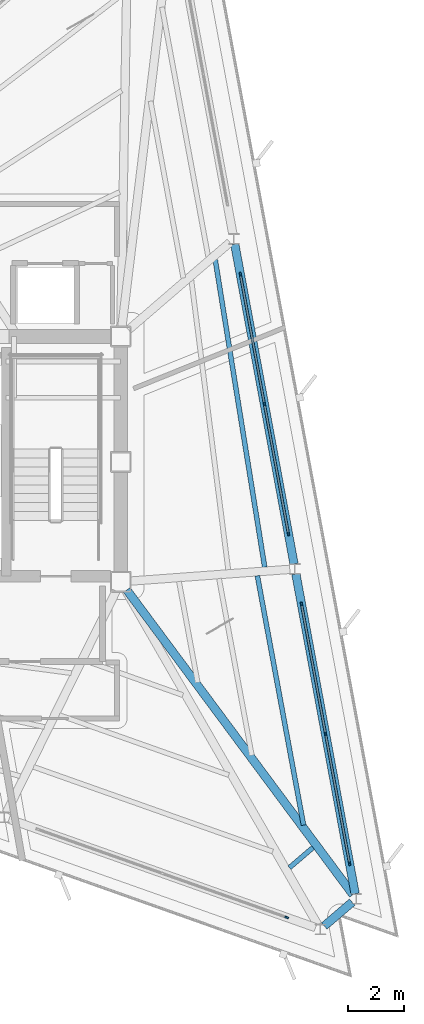
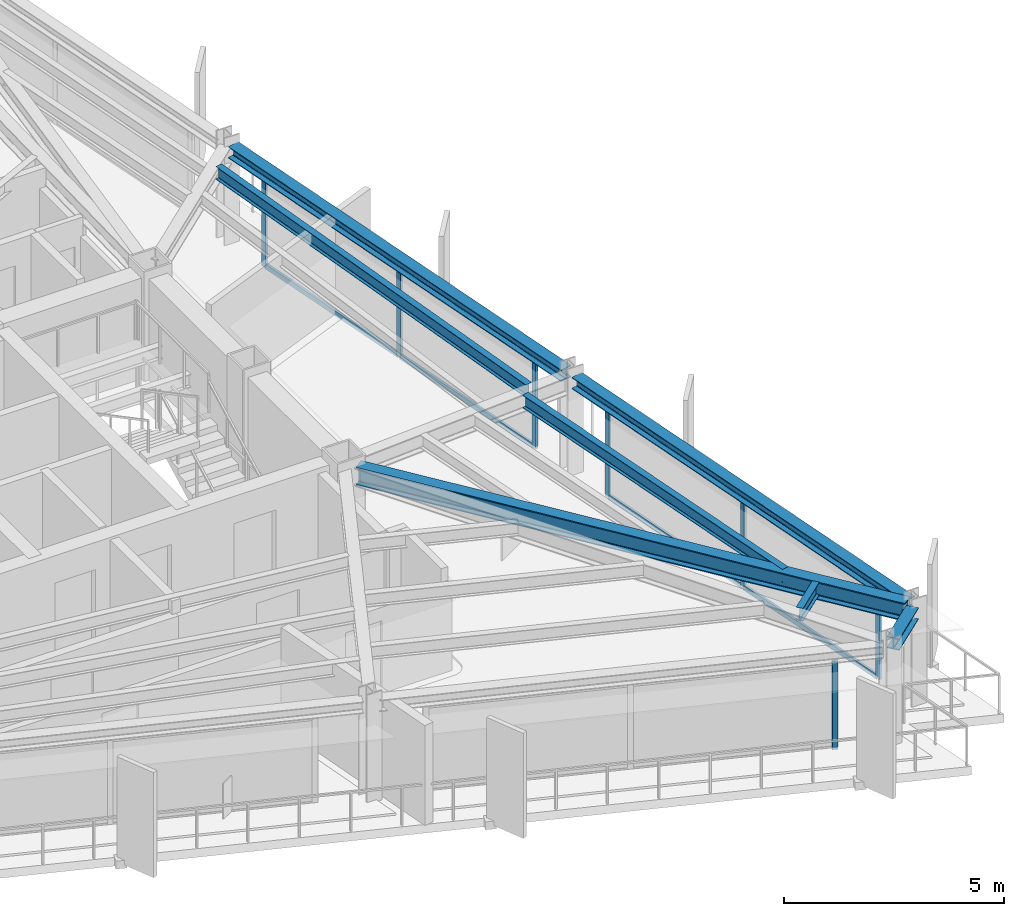
# One storey, part 6 of 14: 15 members, 7 beams, 3 elements without a shape of their own.
"""IFC4 building model written with IfcOpenShell, lengths in metres."""

import ifcopenshell
import ifcopenshell.guid

model = None  # the IFC model being written
_history = None  # IfcOwnerHistory: only IFC2X3 demands one
_inside = {}  # id of a spatial element -> (the spatial element, [elements in it])
_under = {}  # id of a project, library or spatial element -> (it, [spatial elements below it])
_declared = {}  # id of a project -> (the project, [libraries it declares])
_typed = {}  # id of a type object -> (the type object, [elements of that type])
_made_of = {}  # id of a material, layer set ... -> (it, [elements and type objects made of it])


def new_model(schema):
    """Start an empty IFC model of exactly this schema.

    Asked for "IFC4X3", IfcOpenShell would pick the latest addendum, in which some entities
    have other attributes; the version numbers below select the first issue.
    IFC2X3 requires an IfcOwnerHistory on every rooted entity: one is made here for all.
    """
    global model, _history
    if schema == "IFC4X3":
        model = ifcopenshell.file(schema_version=(4, 3, 0, 0))
    else:
        model = ifcopenshell.file(schema=schema)
    _inside.clear()
    _under.clear()
    _declared.clear()
    _typed.clear()
    _made_of.clear()
    _history = None
    if model.schema == "IFC2X3":
        org = make("IfcOrganization", Name="unknown")
        user = make(
            "IfcPersonAndOrganization",
            ThePerson=make("IfcPerson", FamilyName="unknown"),
            TheOrganization=org,
        )
        app = make(
            "IfcApplication",
            ApplicationDeveloper=org,
            Version="unknown",
            ApplicationFullName="unknown",
            ApplicationIdentifier="unknown",
        )
        _history = make(
            "IfcOwnerHistory",
            OwningUser=user,
            OwningApplication=app,
            ChangeAction="ADDED",
            CreationDate=0,
        )
    return model


def make(cls, **values):
    """One entity of the class cls with the attributes given. An attribute that is None is left unset."""
    return model.create_entity(
        cls, **{name: value for name, value in values.items() if value is not None}
    )


def rooted(cls, **values):
    """An entity with a GlobalId (a new one), such as an element, a storey or a relation."""
    return make(cls, GlobalId=ifcopenshell.guid.new(), OwnerHistory=_history, **values)


def si_unit(unit_type, name, prefix=None):
    """IfcSIUnit, for example si_unit("LENGTHUNIT", "METRE", prefix="MILLI")."""
    return make("IfcSIUnit", UnitType=unit_type, Prefix=prefix, Name=name)


def assignment(units):
    """IfcUnitAssignment: the units of a project."""
    return None if units is None else make("IfcUnitAssignment", Units=units)


def point(xyz):
    """IfcCartesianPoint."""
    return None if xyz is None else make("IfcCartesianPoint", Coordinates=xyz)


def direction(xyz):
    """IfcDirection."""
    return None if xyz is None else make("IfcDirection", DirectionRatios=xyz)


def frame(location, z_axis=None, x_axis=None):
    """IfcAxis2Placement3D, a coordinate frame: its origin and axes. An axis left out is left unset."""
    return make(
        "IfcAxis2Placement3D",
        Location=point(location),
        Axis=direction(z_axis),
        RefDirection=direction(x_axis),
    )


def frame_2d(location, x_axis=None):
    """IfcAxis2Placement2D, a coordinate frame in the plane: its origin and x axis."""
    return make(
        "IfcAxis2Placement2D", Location=point(location), RefDirection=direction(x_axis)
    )


def origin():
    """The frame at (0, 0, 0) with its axes left unset."""
    return frame((0.0, 0.0, 0.0))


def origin_2d():
    """The frame at (0, 0) in the plane with its x axis left unset."""
    return frame_2d((0.0, 0.0))


def place(relative_to, where):
    """IfcLocalPlacement: puts the frame where relative to a parent placement (None: the world)."""
    return make(
        "IfcLocalPlacement", PlacementRelTo=relative_to, RelativePlacement=where
    )


def context(
    kind, dimensions, precision=None, world=None, true_north=None, identifier=None
):
    """IfcGeometricRepresentationContext, for example the 3D "Model" context."""
    return make(
        "IfcGeometricRepresentationContext",
        ContextIdentifier=identifier,
        ContextType=kind,
        CoordinateSpaceDimension=dimensions,
        Precision=precision,
        WorldCoordinateSystem=world,
        TrueNorth=true_north,
    )


def subcontext(parent, identifier, kind, view, scale=None):
    """IfcGeometricRepresentationSubContext, for example "Body" below "Model"."""
    return make(
        "IfcGeometricRepresentationSubContext",
        ContextIdentifier=identifier,
        ContextType=kind,
        ParentContext=parent,
        TargetScale=scale,
        TargetView=view,
    )


def project(units=None, contexts=None):
    """IfcProject with its units and contexts."""
    return rooted(
        "IfcProject",
        Name="project",
        RepresentationContexts=contexts,
        UnitsInContext=assignment(units),
    )


def spatial(cls, under=None, at=None, **own):
    """A site, building, storey or space (cls), placed at a placement, below another one or the project."""
    s = rooted(cls, ObjectPlacement=at, **own)
    if under is not None:
        _under.setdefault(under.id(), (under, []))[1].append(s)
    return s


def profile(cls, at=None, kind="AREA", **sizes):
    """A parametric profile (cls). Its sizes go by their IFC names, for example OverallWidth=200.0."""
    return make(cls, ProfileType=kind, Position=at, **sizes)


def rectangle(**sizes):
    """IfcRectangleProfileDef."""
    return profile("IfcRectangleProfileDef", **sizes)


def i_section(**sizes):
    """IfcIShapeProfileDef."""
    return profile("IfcIShapeProfileDef", **sizes)


def extrude(swept, where, along, depth):
    """IfcExtrudedAreaSolid: the profile swept, set in the frame where, extruded along a direction by depth."""
    return make(
        "IfcExtrudedAreaSolid",
        SweptArea=swept,
        Position=where,
        ExtrudedDirection=direction(along),
        Depth=depth,
    )


def shape(context_of_items, identifier, shape_type, items):
    """IfcShapeRepresentation: the items that make up one representation, for example the "Body"."""
    return make(
        "IfcShapeRepresentation",
        ContextOfItems=context_of_items,
        RepresentationIdentifier=identifier,
        RepresentationType=shape_type,
        Items=items,
    )


def material(Name=None, Category=None):
    """IfcMaterial."""
    return make("IfcMaterial", Name=Name, Category=Category)


def layer(
    of_material, thickness, ventilated=None, Name=None, Category=None, Priority=None
):
    """IfcMaterialLayer: one layer of a wall or slab, of a material (None: an air gap)."""
    return make(
        "IfcMaterialLayer",
        Material=of_material,
        LayerThickness=thickness,
        IsVentilated=ventilated,
        Name=Name,
        Category=Category,
        Priority=Priority,
    )


def layer_set(layers, Name=None):
    """IfcMaterialLayerSet."""
    return make("IfcMaterialLayerSet", MaterialLayers=layers, LayerSetName=Name)


def material_profile(
    of_material, cross_section, Name=None, Category=None, Priority=None
):
    """IfcMaterialProfile: a cross section and its material."""
    return make(
        "IfcMaterialProfile",
        Name=Name,
        Material=of_material,
        Profile=cross_section,
        Priority=Priority,
        Category=Category,
    )


def profile_set(profiles, Name=None, composite=None):
    """IfcMaterialProfileSet."""
    return make(
        "IfcMaterialProfileSet",
        Name=Name,
        MaterialProfiles=profiles,
        CompositeProfile=composite,
    )


def made_of(thing, what):
    """Note that an element or type object is made of a material, layer set ...; save() writes the relation."""
    if what is not None:
        _made_of.setdefault(what.id(), (what, []))[1].append(thing)
    return thing


def type_object(cls, material=None, **own):
    """A type object (cls), such as IfcWallType, which elements share."""
    return made_of(rooted(cls, **own), material)


def element(
    cls,
    number,
    at=None,
    inside=None,
    cuts=None,
    type_object=None,
    material=None,
    context=None,
    identifier="Body",
    shape_type=None,
    held_by="IfcProductDefinitionShape",
    body=None,
    shapes=None,
    **own,
):
    """One element of the class cls, such as IfcWall. Its Tag is "e" and its number.

    at: its placement. inside: the storey or other place that contains it. cuts: it is an
    opening in that element (IfcRelVoidsElement). A single representation is given by context,
    identifier, shape_type and body (its items); several are given by shapes. held_by: the class
    of the entity that holds the representations. save() writes the other relations.
    """
    e = rooted(cls, Tag="e%d" % number, ObjectPlacement=at, **own)
    if body is not None:
        shapes = [shape(context, identifier, shape_type, body)]
    if shapes is not None:
        e.Representation = make(held_by, Representations=shapes)
    if inside is not None:
        _inside.setdefault(inside.id(), (inside, []))[1].append(e)
    if cuts is not None:
        rooted(
            "IfcRelVoidsElement", RelatingBuildingElement=cuts, RelatedOpeningElement=e
        )
    if type_object is not None:
        _typed.setdefault(type_object.id(), (type_object, []))[1].append(e)
    return made_of(e, material)


def aggregate(whole, parts):
    """IfcRelAggregates: a whole, such as a stair, and the parts it consists of."""
    return rooted("IfcRelAggregates", RelatingObject=whole, RelatedObjects=parts)


def save(model, path):
    """Write the relations noted so far, then the file.

    IfcRelAggregates (storeys below a building ...), IfcRelContainedInSpatialStructure (elements
    in a storey), IfcRelDefinesByType, IfcRelAssociatesMaterial and IfcRelDeclares: one each for
    every whole, place, type object, material and project.
    """
    for whole, parts in _under.values():
        aggregate(whole, parts)
    for where, things in _inside.values():
        rooted(
            "IfcRelContainedInSpatialStructure",
            RelatedElements=things,
            RelatingStructure=where,
        )
    for kind, things in _typed.values():
        rooted("IfcRelDefinesByType", RelatedObjects=things, RelatingType=kind)
    for what, things in _made_of.values():
        rooted("IfcRelAssociatesMaterial", RelatedObjects=things, RelatingMaterial=what)
    for by, libraries in _declared.values():
        rooted("IfcRelDeclares", RelatingContext=by, RelatedDefinitions=libraries)
    model.write(path)


model = new_model("IFC4")

# Units and contexts
model_context = context("Model", 3, precision=1e-05, world=origin(), true_north=direction((0.0, 1.0)))
body_context = subcontext(model_context, "Body", "Model", "MODEL_VIEW")
ifc_project = project(units=[si_unit("LENGTHUNIT", "METRE"), si_unit("AREAUNIT", "SQUARE_METRE"), si_unit("VOLUMEUNIT", "CUBIC_METRE"), si_unit("PLANEANGLEUNIT", "RADIAN"), si_unit("MASSUNIT", "GRAM", prefix="KILO")], contexts=[model_context])

# Site, building, storey
site_placement = place(None, origin())
site = spatial("IfcSite", under=ifc_project, at=site_placement, CompositionType="ELEMENT")
building_placement = place(site_placement, origin())
building = spatial("IfcBuilding", under=site, at=building_placement, Name="Rocaltana Carrier Exchange", CompositionType="ELEMENT")
storey_placement = place(building_placement, frame((0.0, 0.0, 184.47998046875)))
storey = spatial("IfcBuildingStorey", under=building, at=storey_placement, Name="L58", CompositionType="ELEMENT", Elevation=184.47998046875)

# Curtain wall, members
ifc_material_1 = material(Name="Aluminium 6063-T6", Category="aluminium")
ifc_layer = layer(ifc_material_1, 0.135009765625)
ifc_layer_set = layer_set([ifc_layer], Name="Aluminium 6063-T6")
curtain_wall_type = type_object("IfcCurtainWallType", Name="Upper-Mid Acoustic Curtain Wall CW-04", PredefinedType="NOTDEFINED", material=ifc_layer_set)
curtain_wall_1_placement = place(storey_placement, origin())
curtain_wall_1 = element("IfcCurtainWall", 1, at=curtain_wall_1_placement, inside=storey, type_object=curtain_wall_type, Name="L58 CW-04 Run CW-L58-F1S1", PredefinedType="NOTDEFINED")
ifc_material_2 = material(Name="Aluminium 6063-T6", Category="aluminium")
ifc_material_profile_1 = material_profile(ifc_material_2, rectangle(XDim=0.06494140625, YDim=0.135009765625, at=origin_2d()), Name="AL-65X135")
ifc_profile_set_1 = profile_set([ifc_material_profile_1], Name="Aluminium 6063-T6")
member_type_1 = type_object("IfcMemberType", Name="CW-04 Mullion AL-65X135", PredefinedType="MULLION", material=ifc_profile_set_1)
member_1_placement = place(storey_placement, frame((14.2587890625, -14.410400390625, 0.0), z_axis=(0.0, 0.0, 1.0), x_axis=(-0.98325514449, -0.182234247149, 0.0)))
member_1 = element("IfcMember", 2, at=member_1_placement, type_object=member_type_1, Name="CW-04 mullion 1", PredefinedType="MULLION", context=body_context, shape_type="SweptSolid", body=[
    extrude(rectangle(XDim=0.06494140625, YDim=0.135009765625, at=origin_2d()), origin(), (0.0, 0.0, 1.0), 2.447998046875),
])
member_2_placement = place(storey_placement, frame((13.39599609375, -9.75537109375, 0.0), z_axis=(0.0, 0.0, 1.0), x_axis=(-0.98325514449, -0.182234247149, 0.0)))
member_2 = element("IfcMember", 3, at=member_2_placement, type_object=member_type_1, Name="CW-04 mullion 2", PredefinedType="MULLION", context=body_context, shape_type="SweptSolid", body=[
    extrude(rectangle(XDim=0.06494140625, YDim=0.135009765625, at=origin_2d()), origin(), (0.0, 0.0, 1.0), 2.447998046875),
])
member_3_placement = place(storey_placement, frame((12.533203125, -5.1005859375, 0.0), z_axis=(0.0, 0.0, 1.0), x_axis=(-0.98325514449, -0.182234247149, 0.0)))
member_3 = element("IfcMember", 4, at=member_3_placement, type_object=member_type_1, Name="CW-04 mullion 3", PredefinedType="MULLION", context=body_context, shape_type="SweptSolid", body=[
    extrude(rectangle(XDim=0.06494140625, YDim=0.135009765625, at=origin_2d()), origin(), (0.0, 0.0, 1.0), 2.447998046875),
])

curtain_wall_2_placement = place(storey_placement, origin())
curtain_wall_2 = element("IfcCurtainWall", 5, at=curtain_wall_2_placement, inside=storey, type_object=curtain_wall_type, Name="L58 CW-04 Run CW-L58-F1S2", PredefinedType="NOTDEFINED")
member_4_placement = place(storey_placement, frame((12.06591796875, -2.578369140625, 0.0), z_axis=(0.0, 0.0, 1.0), x_axis=(-0.983254796134, -0.182236126712, 0.0)))
member_4 = element("IfcMember", 6, at=member_4_placement, type_object=member_type_1, Name="CW-04 mullion 1", PredefinedType="MULLION", context=body_context, shape_type="SweptSolid", body=[
    extrude(rectangle(XDim=0.06494140625, YDim=0.135009765625, at=origin_2d()), origin(), (0.0, 0.0, 1.0), 2.447998046875),
])
member_5_placement = place(storey_placement, frame((11.203125, 2.076416015625, 0.0), z_axis=(0.0, 0.0, 1.0), x_axis=(-0.983254796134, -0.182236126712, 0.0)))
member_5 = element("IfcMember", 7, at=member_5_placement, type_object=member_type_1, Name="CW-04 mullion 2", PredefinedType="MULLION", context=body_context, shape_type="SweptSolid", body=[
    extrude(rectangle(XDim=0.06494140625, YDim=0.135009765625, at=origin_2d()), origin(), (0.0, 0.0, 1.0), 2.447998046875),
])
member_6_placement = place(storey_placement, frame((10.34033203125, 6.731201171875, 0.0), z_axis=(0.0, 0.0, 1.0), x_axis=(-0.983254796134, -0.182236126712, 0.0)))
member_6 = element("IfcMember", 8, at=member_6_placement, type_object=member_type_1, Name="CW-04 mullion 3", PredefinedType="MULLION", context=body_context, shape_type="SweptSolid", body=[
    extrude(rectangle(XDim=0.06494140625, YDim=0.135009765625, at=origin_2d()), origin(), (0.0, 0.0, 1.0), 2.447998046875),
])

# Curtain wall, member
curtain_wall_3_placement = place(storey_placement, origin())
curtain_wall_3 = element("IfcCurtainWall", 9, at=curtain_wall_3_placement, inside=storey, type_object=curtain_wall_type, Name="L58 CW-04 Run CW-L58-F3S3", PredefinedType="NOTDEFINED")
member_7_placement = place(storey_placement, frame((12.00244140625, -16.33740234375, 0.0), z_axis=(0.0, 0.0, 1.0), x_axis=(0.333798791936, 0.942644347833, 0.0)))
member_7 = element("IfcMember", 10, at=member_7_placement, type_object=member_type_1, Name="CW-04 mullion 3", PredefinedType="MULLION", context=body_context, shape_type="SweptSolid", body=[
    extrude(rectangle(XDim=0.06494140625, YDim=0.135009765625, at=origin_2d()), origin(), (0.0, 0.0, 1.0), 2.447998046875),
])
aggregate(curtain_wall_3, [member_7])

# Member
ifc_material_3 = material(Name="Aluminium 6063-T6", Category="aluminium")
ifc_material_profile_2 = material_profile(ifc_material_3, rectangle(XDim=0.06494140625, YDim=0.135009765625, at=origin_2d()), Name="AL-65X135")
ifc_profile_set_2 = profile_set([ifc_material_profile_2], Name="Aluminium 6063-T6")
member_type_2 = type_object("IfcMemberType", Name="CW-04 Transom AL-65X135", PredefinedType="USERDEFINED", material=ifc_profile_set_2)
member_8_placement = place(storey_placement, frame((14.2529296875, -14.37841796875, 0.032470703125), z_axis=(-0.18227087305, 0.983248355624, 0.0), x_axis=(-0.983248355624, -0.18227087305, 0.0)))
member_8 = element("IfcMember", 11, at=member_8_placement, type_object=member_type_2, Name="CW-04 transom 1.1", ObjectType="TRANSOM", PredefinedType="USERDEFINED", context=body_context, shape_type="SweptSolid", body=[
    extrude(rectangle(XDim=0.06494140625, YDim=0.135009765625, at=origin_2d()), origin(), (0.0, 0.0, 1.0), 4.669189453125),
])

member_9_placement = place(storey_placement, frame((14.2529296875, -14.37841796875, 2.41552734375), z_axis=(-0.18227087305, 0.983248355624, 0.0), x_axis=(-0.983248355624, -0.18227087305, 0.0)))
member_9 = element("IfcMember", 12, at=member_9_placement, type_object=member_type_2, Name="CW-04 transom 1.2", ObjectType="TRANSOM", PredefinedType="USERDEFINED", context=body_context, shape_type="SweptSolid", body=[
    extrude(rectangle(XDim=0.06494140625, YDim=0.135009765625, at=origin_2d()), origin(), (0.0, 0.0, 1.0), 4.669189453125),
])

member_10_placement = place(storey_placement, frame((13.39013671875, -9.723388671875, 0.032470703125), z_axis=(-0.182229691605, 0.983255988793, 0.0), x_axis=(-0.983255988793, -0.182229691605, 0.0)))
member_10 = element("IfcMember", 13, at=member_10_placement, type_object=member_type_2, Name="CW-04 transom 2.1", ObjectType="TRANSOM", PredefinedType="USERDEFINED", context=body_context, shape_type="SweptSolid", body=[
    extrude(rectangle(XDim=0.06494140625, YDim=0.135009765625, at=origin_2d()), origin(), (0.0, 0.0, 1.0), 4.6689453125),
])

member_11_placement = place(storey_placement, frame((13.39013671875, -9.723388671875, 2.41552734375), z_axis=(-0.182229691605, 0.983255988793, 0.0), x_axis=(-0.983255988793, -0.182229691605, 0.0)))
member_11 = element("IfcMember", 14, at=member_11_placement, type_object=member_type_2, Name="CW-04 transom 2.2", ObjectType="TRANSOM", PredefinedType="USERDEFINED", context=body_context, shape_type="SweptSolid", body=[
    extrude(rectangle(XDim=0.06494140625, YDim=0.135009765625, at=origin_2d()), origin(), (0.0, 0.0, 1.0), 4.6689453125),
])

aggregate(curtain_wall_1, [member_1, member_2, member_3, member_8, member_9, member_10, member_11])

member_12_placement = place(storey_placement, frame((12.06005859375, -2.54638671875, 0.032470703125), z_axis=(-0.182280244188, 0.983246618392, 0.0), x_axis=(-0.983246618392, -0.182280244188, 0.0)))
member_12 = element("IfcMember", 15, at=member_12_placement, type_object=member_type_2, Name="CW-04 transom 1.1", ObjectType="TRANSOM", PredefinedType="USERDEFINED", context=body_context, shape_type="SweptSolid", body=[
    extrude(rectangle(XDim=0.06494140625, YDim=0.135009765625, at=origin_2d()), origin(), (0.0, 0.0, 1.0), 4.6689453125),
])

member_13_placement = place(storey_placement, frame((12.06005859375, -2.54638671875, 2.41552734375), z_axis=(-0.182280244188, 0.983246618392, 0.0), x_axis=(-0.983246618392, -0.182280244188, 0.0)))
member_13 = element("IfcMember", 16, at=member_13_placement, type_object=member_type_2, Name="CW-04 transom 1.2", ObjectType="TRANSOM", PredefinedType="USERDEFINED", context=body_context, shape_type="SweptSolid", body=[
    extrude(rectangle(XDim=0.06494140625, YDim=0.135009765625, at=origin_2d()), origin(), (0.0, 0.0, 1.0), 4.6689453125),
])

member_14_placement = place(storey_placement, frame((11.197265625, 2.1083984375, 0.032470703125), z_axis=(-0.182229691605, 0.983255988793, 0.0), x_axis=(-0.983255988793, -0.182229691605, 0.0)))
member_14 = element("IfcMember", 17, at=member_14_placement, type_object=member_type_2, Name="CW-04 transom 2.1", ObjectType="TRANSOM", PredefinedType="USERDEFINED", context=body_context, shape_type="SweptSolid", body=[
    extrude(rectangle(XDim=0.06494140625, YDim=0.135009765625, at=origin_2d()), origin(), (0.0, 0.0, 1.0), 4.6689453125),
])

member_15_placement = place(storey_placement, frame((11.197265625, 2.1083984375, 2.41552734375), z_axis=(-0.182229691605, 0.983255988793, 0.0), x_axis=(-0.983255988793, -0.182229691605, 0.0)))
member_15 = element("IfcMember", 18, at=member_15_placement, type_object=member_type_2, Name="CW-04 transom 2.2", ObjectType="TRANSOM", PredefinedType="USERDEFINED", context=body_context, shape_type="SweptSolid", body=[
    extrude(rectangle(XDim=0.06494140625, YDim=0.135009765625, at=origin_2d()), origin(), (0.0, 0.0, 1.0), 4.6689453125),
])

aggregate(curtain_wall_2, [member_4, member_5, member_6, member_12, member_13, member_14, member_15])

# Beams
ifc_material_4 = material(Name="Steel S355", Category="steel")
ifc_material_profile_3 = material_profile(ifc_material_4, i_section(OverallWidth=0.172119140625, OverallDepth=0.35791015625, WebThickness=0.0078125, FlangeThickness=0.01318359375, FilletRadius=0.011962890625, at=origin_2d()), Name="W14X38")
ifc_profile_set_3 = profile_set([ifc_material_profile_3], Name="Steel S355")
beam_type_1 = type_object("IfcBeamType", Name="Floor Joist W14X38", PredefinedType="JOIST", material=ifc_profile_set_3)
beam_1_placement = place(storey_placement, frame((12.60888671875, -13.028076171875, 2.619140625), z_axis=(-0.182235319361, 0.983254945768, 0.0), x_axis=(-0.983254945768, -0.182235319361, 0.0)))
element("IfcBeam", 19, at=beam_1_placement, inside=storey, type_object=beam_type_1, Name="FJ-L58-01-3", PredefinedType="JOIST", context=body_context, shape_type="SweptSolid", body=[
    extrude(i_section(OverallWidth=0.172119140625, OverallDepth=0.35791015625, WebThickness=0.0078125, FlangeThickness=0.01318359375, FilletRadius=0.011962890625, at=origin_2d()), origin(), (0.0, 0.0, 1.0), 9.097900390625),
])
beam_2_placement = place(storey_placement, frame((11.21435546875, -3.775634765625, 2.619140625), z_axis=(-0.158801706123, 0.987310497327, 0.0), x_axis=(-0.987310497327, -0.158801706123, 0.0)))
element("IfcBeam", 20, at=beam_2_placement, inside=storey, type_object=beam_type_1, Name="FJ-L58-02-3", PredefinedType="JOIST", context=body_context, shape_type="SweptSolid", body=[
    extrude(i_section(OverallWidth=0.172119140625, OverallDepth=0.35791015625, WebThickness=0.0078125, FlangeThickness=0.01318359375, FilletRadius=0.011962890625, at=origin_2d()), origin(), (0.0, 0.0, 1.0), 11.173828125),
])
beam_3_placement = place(storey_placement, frame((12.103515625, -14.552978515625, 2.619140625), z_axis=(0.760342005867, 0.649522928089, 0.0), x_axis=(-0.649522928089, 0.760342005867, 0.0)))
element("IfcBeam", 21, at=beam_3_placement, inside=storey, type_object=beam_type_1, Name="FJ-L58-12-3", PredefinedType="JOIST", context=body_context, shape_type="SweptSolid", body=[
    extrude(i_section(OverallWidth=0.172119140625, OverallDepth=0.35791015625, WebThickness=0.0078125, FlangeThickness=0.01318359375, FilletRadius=0.011962890625, at=origin_2d()), origin(), (0.0, 0.0, 1.0), 1.1103515625),
])
ifc_material_5 = material(Name="Steel S355", Category="steel")
ifc_material_profile_4 = material_profile(ifc_material_5, i_section(OverallWidth=0.300048828125, OverallDepth=0.320068359375, WebThickness=0.011474609375, FlangeThickness=0.0205078125, FilletRadius=0.027099609375, at=origin_2d()), Name="HEB320")
ifc_profile_set_4 = profile_set([ifc_material_profile_4], Name="Steel S355")
beam_type_2 = type_object("IfcBeamType", Name="Spandrel Edge Beam HEB320", PredefinedType="SPANDREL", material=ifc_profile_set_4)
beam_4_placement = place(storey_placement, frame((14.458740234375, -15.489013671875, 2.637939453125), z_axis=(-0.182231688163, 0.983255618763, 0.0), x_axis=(-0.983255618763, -0.182231688163, 0.0)))
element("IfcBeam", 22, at=beam_4_placement, inside=storey, type_object=beam_type_2, Name="SP-L58-01", PredefinedType="SPANDREL", context=body_context, shape_type="SweptSolid", body=[
    extrude(i_section(OverallWidth=0.300048828125, OverallDepth=0.320068359375, WebThickness=0.011474609375, FlangeThickness=0.0205078125, FilletRadius=0.027099609375, at=origin_2d()), origin(), (0.0, 0.0, 1.0), 11.662353515625),
])
beam_5_placement = place(storey_placement, frame((12.265869140625, -3.656982421875, 2.637939453125), z_axis=(-0.182255678448, 0.983251172221, 0.0), x_axis=(-0.983251172221, -0.182255678448, 0.0)))
element("IfcBeam", 23, at=beam_5_placement, inside=storey, type_object=beam_type_2, Name="SP-L58-02", PredefinedType="SPANDREL", context=body_context, shape_type="SweptSolid", body=[
    extrude(i_section(OverallWidth=0.300048828125, OverallDepth=0.320068359375, WebThickness=0.011474609375, FlangeThickness=0.0205078125, FilletRadius=0.027099609375, at=origin_2d()), origin(), (0.0, 0.0, 1.0), 11.662109375),
])
beam_6_placement = place(storey_placement, frame((13.352294921875, -16.64501953125, 2.637939453125), z_axis=(0.760488392831, 0.649351526039, 0.0), x_axis=(-0.649351526039, 0.760488392831, 0.0)))
element("IfcBeam", 24, at=beam_6_placement, inside=storey, type_object=beam_type_2, Name="SP-L58-12", PredefinedType="SPANDREL", context=body_context, shape_type="SweptSolid", body=[
    extrude(i_section(OverallWidth=0.300048828125, OverallDepth=0.320068359375, WebThickness=0.011474609375, FlangeThickness=0.0205078125, FilletRadius=0.027099609375, at=origin_2d()), origin(), (0.0, 0.0, 1.0), 1.313720703125),
])
ifc_material_6 = material(Name="Steel S355", Category="steel")
ifc_material_profile_5 = material_profile(ifc_material_6, i_section(OverallWidth=0.300048828125, OverallDepth=0.5, WebThickness=0.014404296875, FlangeThickness=0.028076171875, FilletRadius=0.027099609375, at=origin_2d()), Name="HEB500")
ifc_profile_set_5 = profile_set([ifc_material_profile_5], Name="Steel S355")
beam_type_3 = type_object("IfcBeamType", Name="Upper Radial Girder HEB500", PredefinedType="BEAM", material=ifc_profile_set_5)
beam_7_placement = place(storey_placement, frame((6.268798828125, -4.5947265625, 2.548095703125), z_axis=(0.596101049544, -0.802909421251, 0.0), x_axis=(0.802909421251, 0.596101049544, 0.0)))
element("IfcBeam", 25, at=beam_7_placement, inside=storey, type_object=beam_type_3, Name="RG-L58-01", PredefinedType="BEAM", context=body_context, shape_type="SweptSolid", body=[
    extrude(i_section(OverallWidth=0.300048828125, OverallDepth=0.5, WebThickness=0.014404296875, FlangeThickness=0.028076171875, FilletRadius=0.027099609375, at=origin_2d()), origin(), (0.0, 0.0, 1.0), 13.610107421875),
])

save(model, "model.ifc")
